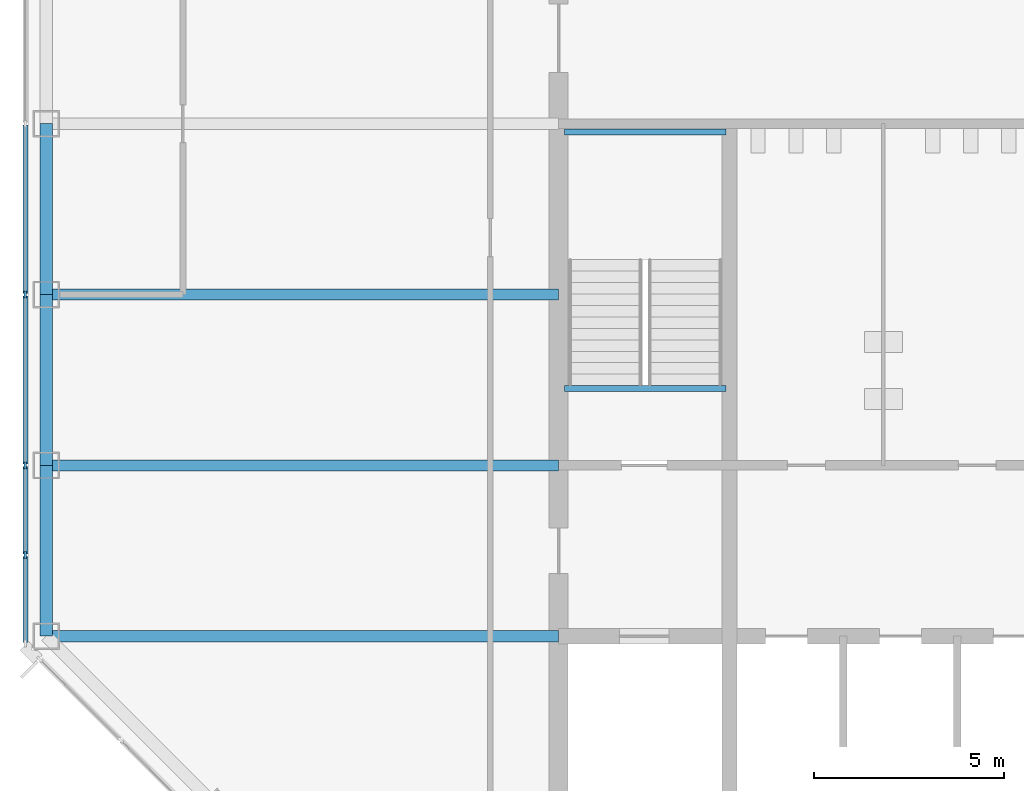
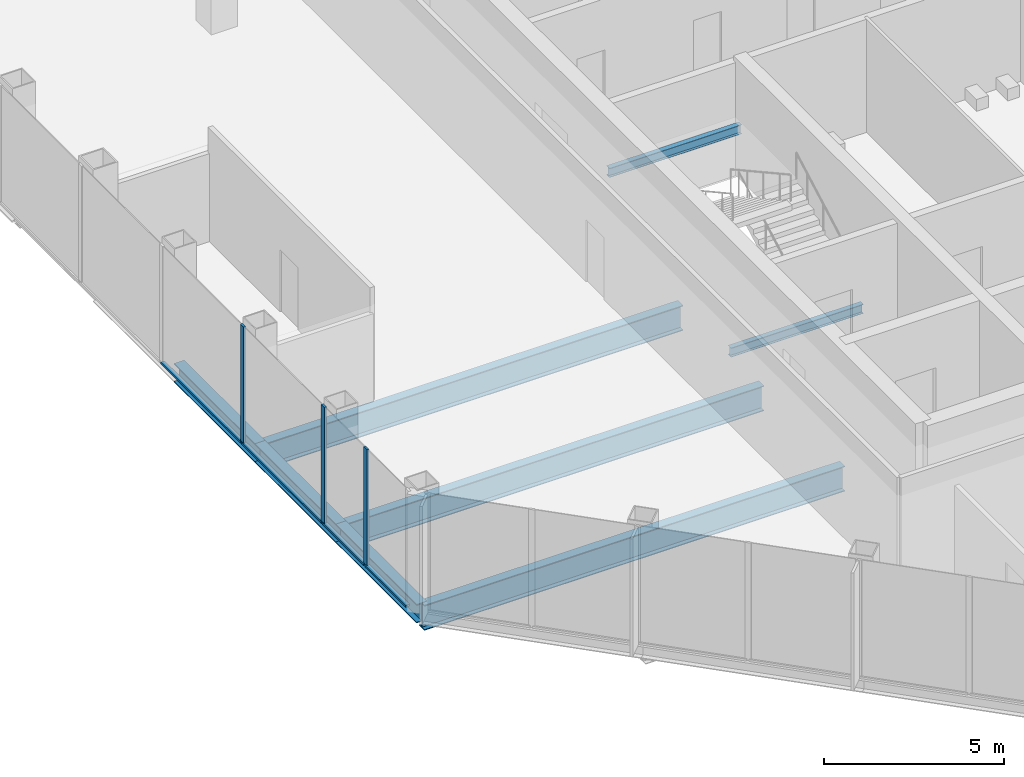
# One storey, part 3 of 12: 8 beams, 7 members, 1 element without a shape of its own.
"""IFC4 building model written with IfcOpenShell, lengths in metres."""

import ifcopenshell
import ifcopenshell.guid

model = None  # the IFC model being written
_history = None  # IfcOwnerHistory: only IFC2X3 demands one
_inside = {}  # id of a spatial element -> (the spatial element, [elements in it])
_under = {}  # id of a project, library or spatial element -> (it, [spatial elements below it])
_declared = {}  # id of a project -> (the project, [libraries it declares])
_typed = {}  # id of a type object -> (the type object, [elements of that type])
_made_of = {}  # id of a material, layer set ... -> (it, [elements and type objects made of it])


def new_model(schema):
    """Start an empty IFC model of exactly this schema.

    Asked for "IFC4X3", IfcOpenShell would pick the latest addendum, in which some entities
    have other attributes; the version numbers below select the first issue.
    IFC2X3 requires an IfcOwnerHistory on every rooted entity: one is made here for all.
    """
    global model, _history
    if schema == "IFC4X3":
        model = ifcopenshell.file(schema_version=(4, 3, 0, 0))
    else:
        model = ifcopenshell.file(schema=schema)
    _inside.clear()
    _under.clear()
    _declared.clear()
    _typed.clear()
    _made_of.clear()
    _history = None
    if model.schema == "IFC2X3":
        org = make("IfcOrganization", Name="unknown")
        user = make(
            "IfcPersonAndOrganization",
            ThePerson=make("IfcPerson", FamilyName="unknown"),
            TheOrganization=org,
        )
        app = make(
            "IfcApplication",
            ApplicationDeveloper=org,
            Version="unknown",
            ApplicationFullName="unknown",
            ApplicationIdentifier="unknown",
        )
        _history = make(
            "IfcOwnerHistory",
            OwningUser=user,
            OwningApplication=app,
            ChangeAction="ADDED",
            CreationDate=0,
        )
    return model


def make(cls, **values):
    """One entity of the class cls with the attributes given. An attribute that is None is left unset."""
    return model.create_entity(
        cls, **{name: value for name, value in values.items() if value is not None}
    )


def rooted(cls, **values):
    """An entity with a GlobalId (a new one), such as an element, a storey or a relation."""
    return make(cls, GlobalId=ifcopenshell.guid.new(), OwnerHistory=_history, **values)


def si_unit(unit_type, name, prefix=None):
    """IfcSIUnit, for example si_unit("LENGTHUNIT", "METRE", prefix="MILLI")."""
    return make("IfcSIUnit", UnitType=unit_type, Prefix=prefix, Name=name)


def assignment(units):
    """IfcUnitAssignment: the units of a project."""
    return None if units is None else make("IfcUnitAssignment", Units=units)


def point(xyz):
    """IfcCartesianPoint."""
    return None if xyz is None else make("IfcCartesianPoint", Coordinates=xyz)


def direction(xyz):
    """IfcDirection."""
    return None if xyz is None else make("IfcDirection", DirectionRatios=xyz)


def frame(location, z_axis=None, x_axis=None):
    """IfcAxis2Placement3D, a coordinate frame: its origin and axes. An axis left out is left unset."""
    return make(
        "IfcAxis2Placement3D",
        Location=point(location),
        Axis=direction(z_axis),
        RefDirection=direction(x_axis),
    )


def frame_2d(location, x_axis=None):
    """IfcAxis2Placement2D, a coordinate frame in the plane: its origin and x axis."""
    return make(
        "IfcAxis2Placement2D", Location=point(location), RefDirection=direction(x_axis)
    )


def origin():
    """The frame at (0, 0, 0) with its axes left unset."""
    return frame((0.0, 0.0, 0.0))


def origin_2d():
    """The frame at (0, 0) in the plane with its x axis left unset."""
    return frame_2d((0.0, 0.0))


def place(relative_to, where):
    """IfcLocalPlacement: puts the frame where relative to a parent placement (None: the world)."""
    return make(
        "IfcLocalPlacement", PlacementRelTo=relative_to, RelativePlacement=where
    )


def context(
    kind, dimensions, precision=None, world=None, true_north=None, identifier=None
):
    """IfcGeometricRepresentationContext, for example the 3D "Model" context."""
    return make(
        "IfcGeometricRepresentationContext",
        ContextIdentifier=identifier,
        ContextType=kind,
        CoordinateSpaceDimension=dimensions,
        Precision=precision,
        WorldCoordinateSystem=world,
        TrueNorth=true_north,
    )


def subcontext(parent, identifier, kind, view, scale=None):
    """IfcGeometricRepresentationSubContext, for example "Body" below "Model"."""
    return make(
        "IfcGeometricRepresentationSubContext",
        ContextIdentifier=identifier,
        ContextType=kind,
        ParentContext=parent,
        TargetScale=scale,
        TargetView=view,
    )


def project(units=None, contexts=None):
    """IfcProject with its units and contexts."""
    return rooted(
        "IfcProject",
        Name="project",
        RepresentationContexts=contexts,
        UnitsInContext=assignment(units),
    )


def spatial(cls, under=None, at=None, **own):
    """A site, building, storey or space (cls), placed at a placement, below another one or the project."""
    s = rooted(cls, ObjectPlacement=at, **own)
    if under is not None:
        _under.setdefault(under.id(), (under, []))[1].append(s)
    return s


def profile(cls, at=None, kind="AREA", **sizes):
    """A parametric profile (cls). Its sizes go by their IFC names, for example OverallWidth=200.0."""
    return make(cls, ProfileType=kind, Position=at, **sizes)


def rectangle(**sizes):
    """IfcRectangleProfileDef."""
    return profile("IfcRectangleProfileDef", **sizes)


def i_section(**sizes):
    """IfcIShapeProfileDef."""
    return profile("IfcIShapeProfileDef", **sizes)


def extrude(swept, where, along, depth):
    """IfcExtrudedAreaSolid: the profile swept, set in the frame where, extruded along a direction by depth."""
    return make(
        "IfcExtrudedAreaSolid",
        SweptArea=swept,
        Position=where,
        ExtrudedDirection=direction(along),
        Depth=depth,
    )


def shape(context_of_items, identifier, shape_type, items):
    """IfcShapeRepresentation: the items that make up one representation, for example the "Body"."""
    return make(
        "IfcShapeRepresentation",
        ContextOfItems=context_of_items,
        RepresentationIdentifier=identifier,
        RepresentationType=shape_type,
        Items=items,
    )


def material(Name=None, Category=None):
    """IfcMaterial."""
    return make("IfcMaterial", Name=Name, Category=Category)


def material_profile(
    of_material, cross_section, Name=None, Category=None, Priority=None
):
    """IfcMaterialProfile: a cross section and its material."""
    return make(
        "IfcMaterialProfile",
        Name=Name,
        Material=of_material,
        Profile=cross_section,
        Priority=Priority,
        Category=Category,
    )


def profile_set(profiles, Name=None, composite=None):
    """IfcMaterialProfileSet."""
    return make(
        "IfcMaterialProfileSet",
        Name=Name,
        MaterialProfiles=profiles,
        CompositeProfile=composite,
    )


def made_of(thing, what):
    """Note that an element or type object is made of a material, layer set ...; save() writes the relation."""
    if what is not None:
        _made_of.setdefault(what.id(), (what, []))[1].append(thing)
    return thing


def type_object(cls, material=None, **own):
    """A type object (cls), such as IfcWallType, which elements share."""
    return made_of(rooted(cls, **own), material)


def element(
    cls,
    number,
    at=None,
    inside=None,
    cuts=None,
    type_object=None,
    material=None,
    context=None,
    identifier="Body",
    shape_type=None,
    held_by="IfcProductDefinitionShape",
    body=None,
    shapes=None,
    **own,
):
    """One element of the class cls, such as IfcWall. Its Tag is "e" and its number.

    at: its placement. inside: the storey or other place that contains it. cuts: it is an
    opening in that element (IfcRelVoidsElement). A single representation is given by context,
    identifier, shape_type and body (its items); several are given by shapes. held_by: the class
    of the entity that holds the representations. save() writes the other relations.
    """
    e = rooted(cls, Tag="e%d" % number, ObjectPlacement=at, **own)
    if body is not None:
        shapes = [shape(context, identifier, shape_type, body)]
    if shapes is not None:
        e.Representation = make(held_by, Representations=shapes)
    if inside is not None:
        _inside.setdefault(inside.id(), (inside, []))[1].append(e)
    if cuts is not None:
        rooted(
            "IfcRelVoidsElement", RelatingBuildingElement=cuts, RelatedOpeningElement=e
        )
    if type_object is not None:
        _typed.setdefault(type_object.id(), (type_object, []))[1].append(e)
    return made_of(e, material)


def aggregate(whole, parts):
    """IfcRelAggregates: a whole, such as a stair, and the parts it consists of."""
    return rooted("IfcRelAggregates", RelatingObject=whole, RelatedObjects=parts)


def save(model, path):
    """Write the relations noted so far, then the file.

    IfcRelAggregates (storeys below a building ...), IfcRelContainedInSpatialStructure (elements
    in a storey), IfcRelDefinesByType, IfcRelAssociatesMaterial and IfcRelDeclares: one each for
    every whole, place, type object, material and project.
    """
    for whole, parts in _under.values():
        aggregate(whole, parts)
    for where, things in _inside.values():
        rooted(
            "IfcRelContainedInSpatialStructure",
            RelatedElements=things,
            RelatingStructure=where,
        )
    for kind, things in _typed.values():
        rooted("IfcRelDefinesByType", RelatedObjects=things, RelatingType=kind)
    for what, things in _made_of.values():
        rooted("IfcRelAssociatesMaterial", RelatedObjects=things, RelatingMaterial=what)
    for by, libraries in _declared.values():
        rooted("IfcRelDeclares", RelatingContext=by, RelatedDefinitions=libraries)
    model.write(path)


model = new_model("IFC4")

# Units and contexts
model_context = context("Model", 3, precision=1e-05, world=origin(), true_north=direction((0.0, 1.0)))
body_context = subcontext(model_context, "Body", "Model", "MODEL_VIEW")
ifc_project = project(units=[si_unit("LENGTHUNIT", "METRE"), si_unit("AREAUNIT", "SQUARE_METRE"), si_unit("VOLUMEUNIT", "CUBIC_METRE"), si_unit("PLANEANGLEUNIT", "RADIAN"), si_unit("MASSUNIT", "GRAM", prefix="KILO")], contexts=[model_context])

# Site, building, storey
site_placement = place(None, origin())
site = spatial("IfcSite", under=ifc_project, at=site_placement, CompositionType="ELEMENT")
building_placement = place(site_placement, origin())
building = spatial("IfcBuilding", under=site, at=building_placement, Name="Corais Broadcast Tower", CompositionType="ELEMENT")
storey_placement = place(building_placement, frame((0.0, 0.0, 159.60009765625)))
storey = spatial("IfcBuildingStorey", under=building, at=storey_placement, Name="L36", CompositionType="ELEMENT", Elevation=159.60009765625)

# Beams
ifc_material_1 = material(Name="Steel ASTM A572 Grade 50", Category="steel")
ifc_material_profile_1 = material_profile(ifc_material_1, i_section(OverallWidth=0.2939453125, OverallDepth=0.85107421875, WebThickness=0.01611328125, FlangeThickness=0.02685546875, at=origin_2d()), Name="W840x226")
ifc_profile_set_1 = profile_set([ifc_material_profile_1], Name="Steel ASTM A572 Grade 50")
beam_type_1 = type_object("IfcBeamType", Name="Floor beam W840x226", PredefinedType="BEAM", material=ifc_profile_set_1)
for number, where, z_axis, x_axis, name in (
    (1, (0.0, 18.0, -0.585693359375), (1.0, 0.0, 0.0), (0.0, 1.0, 0.0), "B1 E/3 to E/6"),
    (2, (0.0, 22.5, -0.585693359375), (1.0, 0.0, 0.0), (0.0, 1.0, 0.0), "B1 F/3 to F/6"),
    (3, (0.0, 27.0, -0.585693359375), (1.0, 0.0, 0.0), (0.0, 1.0, 0.0), "B1 G/3 to G/6"),
):
    element("IfcBeam", number, at=place(storey_placement, frame(where, z_axis=z_axis, x_axis=x_axis)), inside=storey, type_object=beam_type_1, Name=name, PredefinedType="BEAM", context=body_context, shape_type="SweptSolid", body=[
        extrude(i_section(OverallWidth=0.2939453125, OverallDepth=0.85107421875, WebThickness=0.01611328125, FlangeThickness=0.02685546875, at=origin_2d()), origin(), (0.0, 0.0, 1.0), 13.5),
    ])
ifc_material_2 = material(Name="Steel ASTM A572 Grade 50", Category="steel")
ifc_material_profile_2 = material_profile(ifc_material_2, i_section(OverallWidth=0.1650390625, OverallDepth=0.31005859375, WebThickness=0.005859375, FlangeThickness=0.009765625, at=origin_2d()), Name="W310x38.7")
ifc_profile_set_2 = profile_set([ifc_material_profile_2], Name="Steel ASTM A572 Grade 50")
beam_type_2 = type_object("IfcBeamType", Name="Landing trimmer W310x38.7", PredefinedType="BEAM", material=ifc_profile_set_2)
for number, where, z_axis, x_axis, name in (
    (4, (13.64990234375, 24.52490234375, -0.35498046875), (1.0, 0.0, 0.0), (0.0, 1.0, 0.0), "LT1 stair A landing trimmer L36"),
    (5, (13.64990234375, 31.284912109375, 1.64501953125), (1.0, 0.0, 0.0), (0.0, 1.0, 0.0), "LT1 stair A half landing trimmer L36"),
):
    element("IfcBeam", number, at=place(storey_placement, frame(where, z_axis=z_axis, x_axis=x_axis)), inside=storey, type_object=beam_type_2, Name=name, PredefinedType="BEAM", context=body_context, shape_type="SweptSolid", body=[
        extrude(i_section(OverallWidth=0.1650390625, OverallDepth=0.31005859375, WebThickness=0.005859375, FlangeThickness=0.009765625, at=origin_2d()), origin(), (0.0, 0.0, 1.0), 4.25),
    ])

# Curtain wall, members
ifc_material_3 = material(Name="Aluminium and glass", Category="aluminium")
curtain_wall_type = type_object("IfcCurtainWallType", Name="Unitised fritted curtain wall CW2", PredefinedType="NOTDEFINED", material=ifc_material_3)
curtain_wall_placement = place(storey_placement, origin())
curtain_wall = element("IfcCurtainWall", 6, at=curtain_wall_placement, inside=storey, type_object=curtain_wall_type, Name="CW2 curtain wall L36 2", PredefinedType="NOTDEFINED")
ifc_material_4 = material(Name="Aluminium 6063-T6", Category="aluminium")
ifc_material_profile_3 = material_profile(ifc_material_4, rectangle(XDim=0.06494140625, YDim=0.179931640625, at=origin_2d()), Name="Mullion CW2 65x180")
ifc_profile_set_3 = profile_set([ifc_material_profile_3], Name="Aluminium 6063-T6")
member_type_1 = type_object("IfcMemberType", Name="Mullion CW2 65x180", PredefinedType="MULLION", material=ifc_profile_set_3)
member_1_placement = place(storey_placement, frame((-0.550048828125, 20.135986328125, 0.0), z_axis=(0.0, 0.0, 1.0), x_axis=(-1.0, 0.0, 0.0)))
member_1 = element("IfcMember", 7, at=member_1_placement, type_object=member_type_1, Name="CW2 mullion 2", PredefinedType="MULLION", context=body_context, shape_type="SweptSolid", body=[
    extrude(rectangle(XDim=0.06494140625, YDim=0.179931640625, at=origin_2d()), origin(), (0.0, 0.0, 1.0), 4.0),
])
member_2_placement = place(storey_placement, frame((-0.550048828125, 22.5, 0.0), z_axis=(0.0, 0.0, 1.0), x_axis=(-1.0, 0.0, 0.0)))
member_2 = element("IfcMember", 8, at=member_2_placement, type_object=member_type_1, Name="CW2 mullion 3", PredefinedType="MULLION", context=body_context, shape_type="SweptSolid", body=[
    extrude(rectangle(XDim=0.06494140625, YDim=0.179931640625, at=origin_2d()), origin(), (0.0, 0.0, 1.0), 4.0),
])
member_3_placement = place(storey_placement, frame((-0.550048828125, 27.0, 0.0), z_axis=(0.0, 0.0, 1.0), x_axis=(-1.0, 0.0, 0.0)))
member_3 = element("IfcMember", 9, at=member_3_placement, type_object=member_type_1, Name="CW2 mullion 4", PredefinedType="MULLION", context=body_context, shape_type="SweptSolid", body=[
    extrude(rectangle(XDim=0.06494140625, YDim=0.179931640625, at=origin_2d()), origin(), (0.0, 0.0, 1.0), 4.0),
])

# Beams
ifc_material_5 = material(Name="Steel ASTM A572 Grade 50", Category="steel")
ifc_material_profile_4 = material_profile(ifc_material_5, i_section(OverallWidth=0.3291015625, OverallDepth=0.635009765625, WebThickness=0.017822265625, FlangeThickness=0.031005859375, at=origin_2d()), Name="W610x241")
ifc_profile_set_4 = profile_set([ifc_material_profile_4], Name="Steel ASTM A572 Grade 50")
beam_type_3 = type_object("IfcBeamType", Name="Spandrel W610x241", PredefinedType="BEAM", material=ifc_profile_set_4)
for number, where, z_axis, x_axis, name in (
    (10, (0.0, 22.5, -0.4775390625), (0.0, -1.0, 0.0), (1.0, 0.0, 0.0), "SB1 F/3 to E/3"),
    (11, (0.0, 27.0, -0.4775390625), (0.0, -1.0, 0.0), (1.0, 0.0, 0.0), "SB1 G/3 to F/3"),
    (12, (0.0, 31.5, -0.4775390625), (0.0, -1.0, 0.0), (1.0, 0.0, 0.0), "SB1 H/3 to G/3"),
):
    element("IfcBeam", number, at=place(storey_placement, frame(where, z_axis=z_axis, x_axis=x_axis)), inside=storey, type_object=beam_type_3, Name=name, PredefinedType="BEAM", context=body_context, shape_type="SweptSolid", body=[
        extrude(i_section(OverallWidth=0.3291015625, OverallDepth=0.635009765625, WebThickness=0.017822265625, FlangeThickness=0.031005859375, at=origin_2d()), origin(), (0.0, 0.0, 1.0), 4.5),
    ])

# Member
ifc_material_6 = material(Name="Aluminium 6063-T6", Category="aluminium")
ifc_material_profile_5 = material_profile(ifc_material_6, rectangle(XDim=0.1298828125, YDim=0.06494140625, at=origin_2d()), Name="Transom CW2 65x130")
ifc_profile_set_5 = profile_set([ifc_material_profile_5], Name="Aluminium 6063-T6")
member_type_2 = type_object("IfcMemberType", Name="Transom CW2 65x130", PredefinedType="USERDEFINED", material=ifc_profile_set_5)
member_4_placement = place(storey_placement, frame((-0.550048828125, 17.837158203125, 0.032470703125), z_axis=(0.0, 1.0, 0.0), x_axis=(-1.0, 0.0, 0.0)))
member_4 = element("IfcMember", 13, at=member_4_placement, type_object=member_type_2, Name="CW2 transom 1.1", ObjectType="TRANSOM", PredefinedType="USERDEFINED", context=body_context, shape_type="SweptSolid", body=[
    extrude(rectangle(XDim=0.1298828125, YDim=0.06494140625, at=origin_2d()), origin(), (0.0, 0.0, 1.0), 2.266357421875),
])

member_5_placement = place(storey_placement, frame((-0.550048828125, 20.168701171875, 0.032470703125), z_axis=(0.0, 1.0, 0.0), x_axis=(-1.0, 0.0, 0.0)))
member_5 = element("IfcMember", 14, at=member_5_placement, type_object=member_type_2, Name="CW2 transom 2.1", ObjectType="TRANSOM", PredefinedType="USERDEFINED", context=body_context, shape_type="SweptSolid", body=[
    extrude(rectangle(XDim=0.1298828125, YDim=0.06494140625, at=origin_2d()), origin(), (0.0, 0.0, 1.0), 2.298828125),
])

member_6_placement = place(storey_placement, frame((-0.550048828125, 22.532470703125, 0.032470703125), z_axis=(0.0, 1.0, 0.0), x_axis=(-1.0, 0.0, 0.0)))
member_6 = element("IfcMember", 15, at=member_6_placement, type_object=member_type_2, Name="CW2 transom 3.1", ObjectType="TRANSOM", PredefinedType="USERDEFINED", context=body_context, shape_type="SweptSolid", body=[
    extrude(rectangle(XDim=0.1298828125, YDim=0.06494140625, at=origin_2d()), origin(), (0.0, 0.0, 1.0), 4.43505859375),
])

member_7_placement = place(storey_placement, frame((-0.550048828125, 27.032470703125, 0.032470703125), z_axis=(0.0, 1.0, 0.0), x_axis=(-1.0, 0.0, 0.0)))
member_7 = element("IfcMember", 16, at=member_7_placement, type_object=member_type_2, Name="CW2 transom 4.1", ObjectType="TRANSOM", PredefinedType="USERDEFINED", context=body_context, shape_type="SweptSolid", body=[
    extrude(rectangle(XDim=0.1298828125, YDim=0.06494140625, at=origin_2d()), origin(), (0.0, 0.0, 1.0), 4.43505859375),
])

aggregate(curtain_wall, [member_1, member_2, member_3, member_4, member_5, member_6, member_7])

save(model, "model.ifc")
